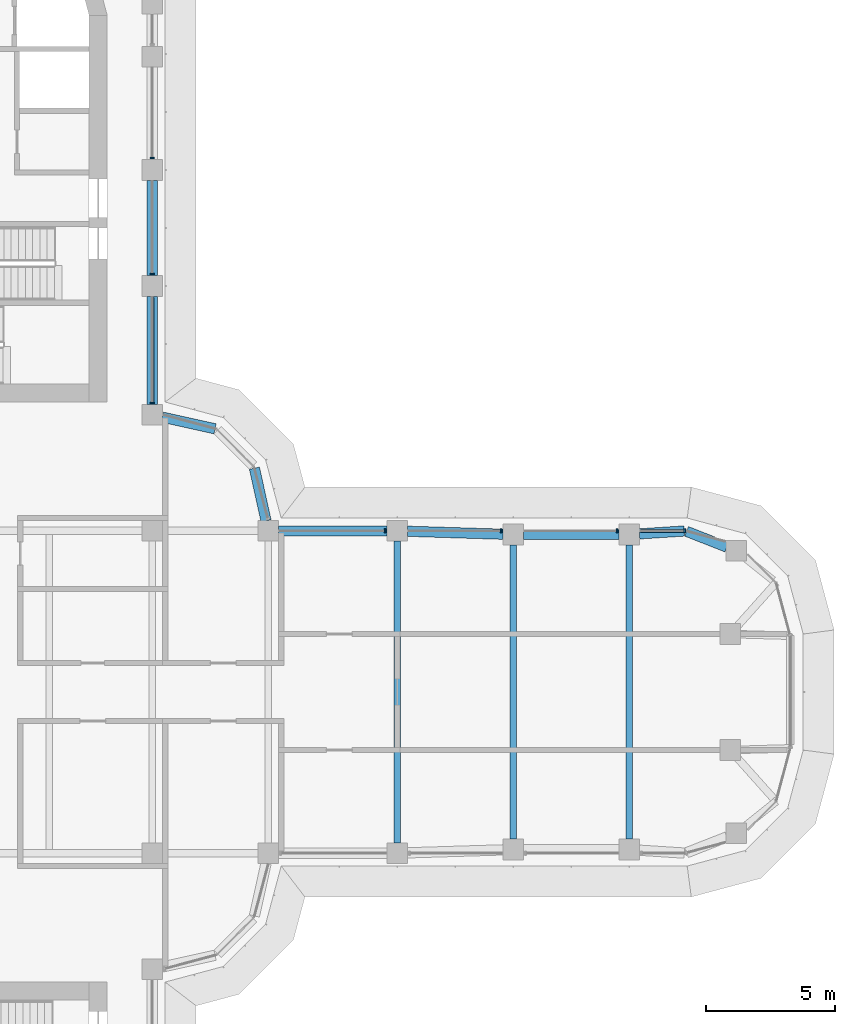
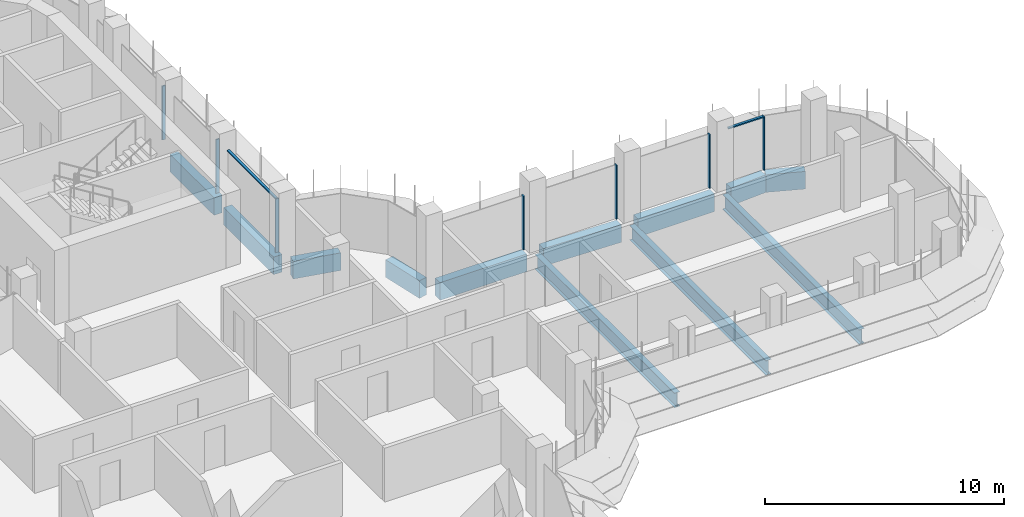
# One storey, part 8 of 20: 12 beams, 9 members, 2 elements without a shape of their own.
"""IFC4 building model written with IfcOpenShell, lengths in metres."""

import ifcopenshell
import ifcopenshell.guid

model = None  # the IFC model being written
_history = None  # IfcOwnerHistory: only IFC2X3 demands one
_inside = {}  # id of a spatial element -> (the spatial element, [elements in it])
_under = {}  # id of a project, library or spatial element -> (it, [spatial elements below it])
_declared = {}  # id of a project -> (the project, [libraries it declares])
_typed = {}  # id of a type object -> (the type object, [elements of that type])
_made_of = {}  # id of a material, layer set ... -> (it, [elements and type objects made of it])


def new_model(schema):
    """Start an empty IFC model of exactly this schema.

    Asked for "IFC4X3", IfcOpenShell would pick the latest addendum, in which some entities
    have other attributes; the version numbers below select the first issue.
    IFC2X3 requires an IfcOwnerHistory on every rooted entity: one is made here for all.
    """
    global model, _history
    if schema == "IFC4X3":
        model = ifcopenshell.file(schema_version=(4, 3, 0, 0))
    else:
        model = ifcopenshell.file(schema=schema)
    _inside.clear()
    _under.clear()
    _declared.clear()
    _typed.clear()
    _made_of.clear()
    _history = None
    if model.schema == "IFC2X3":
        org = make("IfcOrganization", Name="unknown")
        user = make(
            "IfcPersonAndOrganization",
            ThePerson=make("IfcPerson", FamilyName="unknown"),
            TheOrganization=org,
        )
        app = make(
            "IfcApplication",
            ApplicationDeveloper=org,
            Version="unknown",
            ApplicationFullName="unknown",
            ApplicationIdentifier="unknown",
        )
        _history = make(
            "IfcOwnerHistory",
            OwningUser=user,
            OwningApplication=app,
            ChangeAction="ADDED",
            CreationDate=0,
        )
    return model


def make(cls, **values):
    """One entity of the class cls with the attributes given. An attribute that is None is left unset."""
    return model.create_entity(
        cls, **{name: value for name, value in values.items() if value is not None}
    )


def rooted(cls, **values):
    """An entity with a GlobalId (a new one), such as an element, a storey or a relation."""
    return make(cls, GlobalId=ifcopenshell.guid.new(), OwnerHistory=_history, **values)


def si_unit(unit_type, name, prefix=None):
    """IfcSIUnit, for example si_unit("LENGTHUNIT", "METRE", prefix="MILLI")."""
    return make("IfcSIUnit", UnitType=unit_type, Prefix=prefix, Name=name)


def assignment(units):
    """IfcUnitAssignment: the units of a project."""
    return None if units is None else make("IfcUnitAssignment", Units=units)


def point(xyz):
    """IfcCartesianPoint."""
    return None if xyz is None else make("IfcCartesianPoint", Coordinates=xyz)


def direction(xyz):
    """IfcDirection."""
    return None if xyz is None else make("IfcDirection", DirectionRatios=xyz)


def frame(location, z_axis=None, x_axis=None):
    """IfcAxis2Placement3D, a coordinate frame: its origin and axes. An axis left out is left unset."""
    return make(
        "IfcAxis2Placement3D",
        Location=point(location),
        Axis=direction(z_axis),
        RefDirection=direction(x_axis),
    )


def frame_2d(location, x_axis=None):
    """IfcAxis2Placement2D, a coordinate frame in the plane: its origin and x axis."""
    return make(
        "IfcAxis2Placement2D", Location=point(location), RefDirection=direction(x_axis)
    )


def origin():
    """The frame at (0, 0, 0) with its axes left unset."""
    return frame((0.0, 0.0, 0.0))


def origin_2d():
    """The frame at (0, 0) in the plane with its x axis left unset."""
    return frame_2d((0.0, 0.0))


def place(relative_to, where):
    """IfcLocalPlacement: puts the frame where relative to a parent placement (None: the world)."""
    return make(
        "IfcLocalPlacement", PlacementRelTo=relative_to, RelativePlacement=where
    )


def context(
    kind, dimensions, precision=None, world=None, true_north=None, identifier=None
):
    """IfcGeometricRepresentationContext, for example the 3D "Model" context."""
    return make(
        "IfcGeometricRepresentationContext",
        ContextIdentifier=identifier,
        ContextType=kind,
        CoordinateSpaceDimension=dimensions,
        Precision=precision,
        WorldCoordinateSystem=world,
        TrueNorth=true_north,
    )


def subcontext(parent, identifier, kind, view, scale=None):
    """IfcGeometricRepresentationSubContext, for example "Body" below "Model"."""
    return make(
        "IfcGeometricRepresentationSubContext",
        ContextIdentifier=identifier,
        ContextType=kind,
        ParentContext=parent,
        TargetScale=scale,
        TargetView=view,
    )


def project(units=None, contexts=None):
    """IfcProject with its units and contexts."""
    return rooted(
        "IfcProject",
        Name="project",
        RepresentationContexts=contexts,
        UnitsInContext=assignment(units),
    )


def spatial(cls, under=None, at=None, **own):
    """A site, building, storey or space (cls), placed at a placement, below another one or the project."""
    s = rooted(cls, ObjectPlacement=at, **own)
    if under is not None:
        _under.setdefault(under.id(), (under, []))[1].append(s)
    return s


def polyline(points):
    """IfcPolyline through the points."""
    return make("IfcPolyline", Points=[point(p) for p in points])


def profile(cls, at=None, kind="AREA", **sizes):
    """A parametric profile (cls). Its sizes go by their IFC names, for example OverallWidth=200.0."""
    return make(cls, ProfileType=kind, Position=at, **sizes)


def rectangle(**sizes):
    """IfcRectangleProfileDef."""
    return profile("IfcRectangleProfileDef", **sizes)


def i_section(**sizes):
    """IfcIShapeProfileDef."""
    return profile("IfcIShapeProfileDef", **sizes)


def outline(outer, holes=None, kind="AREA"):
    """IfcArbitraryClosedProfileDef: a profile drawn as a closed curve; with holes, ...WithVoids."""
    if holes is None:
        return make("IfcArbitraryClosedProfileDef", ProfileType=kind, OuterCurve=outer)
    return make(
        "IfcArbitraryProfileDefWithVoids",
        ProfileType=kind,
        OuterCurve=outer,
        InnerCurves=holes,
    )


def extrude(swept, where, along, depth):
    """IfcExtrudedAreaSolid: the profile swept, set in the frame where, extruded along a direction by depth."""
    return make(
        "IfcExtrudedAreaSolid",
        SweptArea=swept,
        Position=where,
        ExtrudedDirection=direction(along),
        Depth=depth,
    )


def shape(context_of_items, identifier, shape_type, items):
    """IfcShapeRepresentation: the items that make up one representation, for example the "Body"."""
    return make(
        "IfcShapeRepresentation",
        ContextOfItems=context_of_items,
        RepresentationIdentifier=identifier,
        RepresentationType=shape_type,
        Items=items,
    )


def source(mapping_origin, context_of_items, identifier, shape_type, items):
    """IfcRepresentationMap: a shape defined once, which mapped items show again and again."""
    return make(
        "IfcRepresentationMap",
        MappingOrigin=mapping_origin,
        MappedRepresentation=shape(context_of_items, identifier, shape_type, items),
    )


def transform(
    local_origin,
    x_axis=None,
    y_axis=None,
    z_axis=None,
    scale=None,
    scale2=None,
    scale3=None,
    uniform=True,
):
    """IfcCartesianTransformationOperator3D, or its non-uniform kind. x_axis, y_axis, z_axis: its Axis1, 2, 3."""
    if uniform:
        return make(
            "IfcCartesianTransformationOperator3D",
            Axis1=direction(x_axis),
            Axis2=direction(y_axis),
            LocalOrigin=point(local_origin),
            Scale=scale,
            Axis3=direction(z_axis),
        )
    return make(
        "IfcCartesianTransformationOperator3DnonUniform",
        Axis1=direction(x_axis),
        Axis2=direction(y_axis),
        LocalOrigin=point(local_origin),
        Scale=scale,
        Axis3=direction(z_axis),
        Scale2=scale2,
        Scale3=scale3,
    )


def mapped(mapping_source, mapping_target):
    """IfcMappedItem: shows the shape of a source again, moved by a transform."""
    return make(
        "IfcMappedItem", MappingSource=mapping_source, MappingTarget=mapping_target
    )


def material(Name=None, Category=None):
    """IfcMaterial."""
    return make("IfcMaterial", Name=Name, Category=Category)


def material_profile(
    of_material, cross_section, Name=None, Category=None, Priority=None
):
    """IfcMaterialProfile: a cross section and its material."""
    return make(
        "IfcMaterialProfile",
        Name=Name,
        Material=of_material,
        Profile=cross_section,
        Priority=Priority,
        Category=Category,
    )


def profile_set(profiles, Name=None, composite=None):
    """IfcMaterialProfileSet."""
    return make(
        "IfcMaterialProfileSet",
        Name=Name,
        MaterialProfiles=profiles,
        CompositeProfile=composite,
    )


def made_of(thing, what):
    """Note that an element or type object is made of a material, layer set ...; save() writes the relation."""
    if what is not None:
        _made_of.setdefault(what.id(), (what, []))[1].append(thing)
    return thing


def type_object(cls, material=None, **own):
    """A type object (cls), such as IfcWallType, which elements share."""
    return made_of(rooted(cls, **own), material)


def element(
    cls,
    number,
    at=None,
    inside=None,
    cuts=None,
    type_object=None,
    material=None,
    context=None,
    identifier="Body",
    shape_type=None,
    held_by="IfcProductDefinitionShape",
    body=None,
    shapes=None,
    **own,
):
    """One element of the class cls, such as IfcWall. Its Tag is "e" and its number.

    at: its placement. inside: the storey or other place that contains it. cuts: it is an
    opening in that element (IfcRelVoidsElement). A single representation is given by context,
    identifier, shape_type and body (its items); several are given by shapes. held_by: the class
    of the entity that holds the representations. save() writes the other relations.
    """
    e = rooted(cls, Tag="e%d" % number, ObjectPlacement=at, **own)
    if body is not None:
        shapes = [shape(context, identifier, shape_type, body)]
    if shapes is not None:
        e.Representation = make(held_by, Representations=shapes)
    if inside is not None:
        _inside.setdefault(inside.id(), (inside, []))[1].append(e)
    if cuts is not None:
        rooted(
            "IfcRelVoidsElement", RelatingBuildingElement=cuts, RelatedOpeningElement=e
        )
    if type_object is not None:
        _typed.setdefault(type_object.id(), (type_object, []))[1].append(e)
    return made_of(e, material)


def aggregate(whole, parts):
    """IfcRelAggregates: a whole, such as a stair, and the parts it consists of."""
    return rooted("IfcRelAggregates", RelatingObject=whole, RelatedObjects=parts)


def save(model, path):
    """Write the relations noted so far, then the file.

    IfcRelAggregates (storeys below a building ...), IfcRelContainedInSpatialStructure (elements
    in a storey), IfcRelDefinesByType, IfcRelAssociatesMaterial and IfcRelDeclares: one each for
    every whole, place, type object, material and project.
    """
    for whole, parts in _under.values():
        aggregate(whole, parts)
    for where, things in _inside.values():
        rooted(
            "IfcRelContainedInSpatialStructure",
            RelatedElements=things,
            RelatingStructure=where,
        )
    for kind, things in _typed.values():
        rooted("IfcRelDefinesByType", RelatedObjects=things, RelatingType=kind)
    for what, things in _made_of.values():
        rooted("IfcRelAssociatesMaterial", RelatedObjects=things, RelatingMaterial=what)
    for by, libraries in _declared.values():
        rooted("IfcRelDeclares", RelatingContext=by, RelatedDefinitions=libraries)
    model.write(path)


model = new_model("IFC4")

# Units and contexts
model_context = context("Model", 3, precision=1e-05, world=origin(), true_north=direction((0.0, 1.0)))
body_context = subcontext(model_context, "Body", "Model", "MODEL_VIEW")
ifc_project = project(units=[si_unit("LENGTHUNIT", "METRE"), si_unit("AREAUNIT", "SQUARE_METRE"), si_unit("VOLUMEUNIT", "CUBIC_METRE"), si_unit("PLANEANGLEUNIT", "RADIAN"), si_unit("MASSUNIT", "GRAM", prefix="KILO")], contexts=[model_context])

# Site, building, storey
site_placement = place(None, origin())
site = spatial("IfcSite", under=ifc_project, at=site_placement, CompositionType="ELEMENT")
building_placement = place(site_placement, origin())
building = spatial("IfcBuilding", under=site, at=building_placement, Name="Zarbagh Exchange Tower", CompositionType="ELEMENT")
storey_placement = place(building_placement, frame((0.0, 0.0, 141.0)))
storey = spatial("IfcBuildingStorey", under=building, at=storey_placement, Name="L33", CompositionType="ELEMENT", Elevation=141.0)

# Beams
ifc_material_1 = material(Name="Steel ASTM A992 Gr 50", Category="steel")
ifc_material_profile_1 = material_profile(ifc_material_1, i_section(OverallWidth=0.26416015625, OverallDepth=0.749267578125, WebThickness=0.011962890625, FlangeThickness=0.015380859375, at=origin_2d()), Name="W30X90")
ifc_profile_set_1 = profile_set([ifc_material_profile_1], Name="Steel ASTM A992 Gr 50")
beam_type_1 = type_object("IfcBeamType", Name="Floor beam W30X90", PredefinedType="BEAM", material=ifc_profile_set_1)
beam_1_placement = place(storey_placement, frame((15.75, -5.85009765625, -0.524658203125), z_axis=(0.0, 1.0, 0.0), x_axis=(-1.0, 0.0, 0.0)))
element("IfcBeam", 1, at=beam_1_placement, inside=storey, type_object=beam_type_1, Name="Steel floor beam", PredefinedType="BEAM", context=body_context, shape_type="SweptSolid", body=[
    extrude(i_section(OverallWidth=0.26416015625, OverallDepth=0.749267578125, WebThickness=0.011962890625, FlangeThickness=0.015380859375, at=origin_2d()), origin(), (0.0, 0.0, 1.0), 11.7001953125),
])
for number, where, z_axis, x_axis, name in (
    (2, (20.25, -5.7099609375, -0.524658203125), (0.0, 1.0, 0.0), (-1.0, 0.0, 0.0), "Steel floor beam"),
    (3, (24.75, -5.7099609375, -0.524658203125), (0.0, 1.0, 0.0), (-1.0, 0.0, 0.0), "Steel floor beam"),
):
    element("IfcBeam", number, at=place(storey_placement, frame(where, z_axis=z_axis, x_axis=x_axis)), inside=storey, type_object=beam_type_1, Name=name, PredefinedType="BEAM", context=body_context, shape_type="SweptSolid", body=[
        extrude(i_section(OverallWidth=0.26416015625, OverallDepth=0.749267578125, WebThickness=0.011962890625, FlangeThickness=0.015380859375, at=origin_2d()), origin(), (0.0, 0.0, 1.0), 11.419921875),
    ])
ifc_material_2 = material(Name="Concrete C50/60", Category="concrete")
ifc_material_profile_2 = material_profile(ifc_material_2, rectangle(XDim=0.39990234375, YDim=0.89990234375, at=origin_2d()), Name="RC spandrel beam 400 x 900 C50/60")
ifc_profile_set_2 = profile_set([ifc_material_profile_2], Name="Concrete C50/60")
beam_type_2 = type_object("IfcBeamType", Name="RC spandrel beam 400 x 900 C50/60", PredefinedType="SPANDREL", material=ifc_profile_set_2)
beam_2_placement = place(storey_placement, frame((6.25, 19.85009765625, -0.60009765625), z_axis=(0.0, -1.0, 0.0), x_axis=(1.0, 0.0, 0.0)))
element("IfcBeam", 4, at=beam_2_placement, inside=storey, type_object=beam_type_2, Name="RC spandrel beam", PredefinedType="SPANDREL", context=body_context, shape_type="SweptSolid", body=[
    extrude(rectangle(XDim=0.39990234375, YDim=0.89990234375, at=origin_2d()), origin(), (0.0, 0.0, 1.0), 3.7001953125),
])
beam_3_placement = place(storey_placement, frame((6.25, 15.35009765625, -0.60009765625), z_axis=(0.0, -1.0, 0.0), x_axis=(1.0, 0.0, 0.0)))
element("IfcBeam", 5, at=beam_3_placement, inside=storey, type_object=beam_type_2, Name="RC spandrel beam", PredefinedType="SPANDREL", context=body_context, shape_type="SweptSolid", body=[
    extrude(rectangle(XDim=0.39990234375, YDim=0.89990234375, at=origin_2d()), origin(), (0.0, 0.0, 1.0), 4.2001953125),
])
for number, where, z_axis, x_axis, name in (
    (6, (6.640625, 10.66357421875, -0.60009765625), (0.976384278741, -0.216041061437, 0.0), (0.216041061437, 0.976384278741, 0.0), "RC spandrel beam"),
    (7, (10.21142578125, 8.68408203125, -0.60009765625), (0.216041061437, -0.976384278741, 0.0), (0.976384278741, 0.216041061437, 0.0), "RC spandrel beam"),
):
    element("IfcBeam", number, at=place(storey_placement, frame(where, z_axis=z_axis, x_axis=x_axis)), inside=storey, type_object=beam_type_2, Name=name, PredefinedType="SPANDREL", context=body_context, shape_type="SweptSolid", body=[
        extrude(rectangle(XDim=0.39990234375, YDim=0.89990234375, at=origin_2d()), origin(), (0.0, 0.0, 1.0), 2.0927734375),
    ])
beam_4_placement = place(storey_placement, frame((11.14990234375, 6.25, -0.60009765625), z_axis=(1.0, 0.0, 0.0), x_axis=(0.0, 1.0, 0.0)))
element("IfcBeam", 8, at=beam_4_placement, inside=storey, type_object=beam_type_2, Name="RC spandrel beam", PredefinedType="SPANDREL", context=body_context, shape_type="SweptSolid", body=[
    extrude(rectangle(XDim=0.39990234375, YDim=0.89990234375, at=origin_2d()), origin(), (0.0, 0.0, 1.0), 4.2001953125),
])
beam_5_placement = place(storey_placement, frame((16.14990234375, 6.237548828125, -0.60009765625), z_axis=(0.999515416033, -0.031127690444, 0.0), x_axis=(0.031127690444, 0.999515416033, 0.0)))
element("IfcBeam", 9, at=beam_5_placement, inside=storey, type_object=beam_type_2, Name="RC spandrel beam", PredefinedType="SPANDREL", context=body_context, shape_type="SweptSolid", body=[
    extrude(rectangle(XDim=0.39990234375, YDim=0.89990234375, at=origin_2d()), origin(), (0.0, 0.0, 1.0), 3.701904296875),
])
beam_6_placement = place(storey_placement, frame((20.64990234375, 6.110107421875, -0.60009765625), z_axis=(1.0, 0.0, 0.0), x_axis=(0.0, 1.0, 0.0)))
element("IfcBeam", 10, at=beam_6_placement, inside=storey, type_object=beam_type_2, Name="RC spandrel beam", PredefinedType="SPANDREL", context=body_context, shape_type="SweptSolid", body=[
    extrude(rectangle(XDim=0.39990234375, YDim=0.89990234375, at=origin_2d()), origin(), (0.0, 0.0, 1.0), 3.7001953125),
])
beam_7_placement = place(storey_placement, frame((25.149169921875, 6.135498046875, -0.60009765625), z_axis=(0.997942679773, 0.064112462805, 0.0), x_axis=(-0.064112462805, 0.997942679773, 0.0)))
element("IfcBeam", 11, at=beam_7_placement, inside=storey, type_object=beam_type_2, Name="RC spandrel beam", PredefinedType="SPANDREL", context=body_context, shape_type="SweptSolid", body=[
    extrude(rectangle(XDim=0.39990234375, YDim=0.89990234375, at=origin_2d()), origin(), (0.0, 0.0, 1.0), 1.744140625),
])
beam_8_placement = place(storey_placement, frame((26.9755859375, 6.233642578125, -0.60009765625), z_axis=(0.930818758612, -0.36548110569, 0.0), x_axis=(0.36548110569, 0.930818758612, 0.0)))
element("IfcBeam", 12, at=beam_8_placement, inside=storey, type_object=beam_type_2, Name="RC spandrel beam", PredefinedType="SPANDREL", context=body_context, shape_type="SweptSolid", body=[
    extrude(rectangle(XDim=0.39990234375, YDim=0.89990234375, at=origin_2d()), origin(), (0.0, 0.0, 1.0), 1.676025390625),
])

# Curtain wall, members
ifc_material_3 = material(Name="Anodised aluminium frame and glazing", Category="aluminium")
curtain_wall_type = type_object("IfcCurtainWallType", Name="CWB Ribbon glazing, upper zones", PredefinedType="NOTDEFINED", material=ifc_material_3)
curtain_wall_1_placement = place(storey_placement, origin())
curtain_wall_1 = element("IfcCurtainWall", 13, at=curtain_wall_1_placement, inside=storey, type_object=curtain_wall_type, Name="CWB16 curtain wall", PredefinedType="NOTDEFINED")
ifc_material_4 = material(Name="Anodised aluminium frame", Category="aluminium")
member_type_1 = type_object("IfcMemberType", Name="TRB Transom, anodised aluminium frame", PredefinedType="USERDEFINED", material=ifc_material_4)
shared_shape_1 = source(origin(), body_context, "Body", "SweptSolid", [
    extrude(outline(polyline([(-0.06005859375, -0.06005859375), (0.0, -0.06005859375), (0.0, 0.06005859375), (-0.06005859375, 0.06005859375), (-0.06005859375, -0.06005859375)])), origin(), (0.0, 0.0, 1.0), 1.68408203125),
])
placement = place(storey_placement, origin())
member_1 = element("IfcMember", 14, at=placement, type_object=member_type_1, Name="CWB16 transom 1.1", ObjectType="TRANSOM", PredefinedType="USERDEFINED", context=body_context, shape_type="MappedRepresentation", body=[
    mapped(shared_shape_1, transform((26.874267578125, 6.25, 2.75), x_axis=(0.0, 0.0, 1.0), y_axis=(0.0, 1.0, 0.0), z_axis=(-1.0, 0.0, 0.0))),
])
member_type_2 = type_object("IfcMemberType", Name="MUB Mullion, anodised aluminium frame", PredefinedType="MULLION", material=ifc_material_4)
shared_shape_2 = source(origin(), body_context, "Body", "SweptSolid", [
    extrude(outline(polyline([(0.0, -0.080078125), (0.06005859375, -0.080078125), (0.06005859375, 0.080078125), (0.0, 0.080078125), (0.0, -0.080078125)])), origin(), (0.0, 0.0, 1.0), 2.75),
])
member_2 = element("IfcMember", 15, at=placement, type_object=member_type_2, Name="CWB16 mullion 1.1", PredefinedType="MULLION", context=body_context, shape_type="MappedRepresentation", body=[
    mapped(shared_shape_2, transform((26.93408203125, 6.25, 0.0), x_axis=(-1.0, 0.0, 0.0), y_axis=(0.0, -1.0, 0.0), z_axis=(0.0, 0.0, 1.0))),
])
member_3 = element("IfcMember", 16, at=placement, type_object=member_type_2, Name="CWB16 mullion 2.1", PredefinedType="MULLION", context=body_context, shape_type="MappedRepresentation", body=[
    mapped(shared_shape_2, transform((24.31005859375, 6.25, 0.0), x_axis=(-1.0, 0.0, 0.0), y_axis=(0.0, -1.0, 0.0), z_axis=(0.0, 0.0, 1.0))),
])
member_4 = element("IfcMember", 17, at=placement, type_object=member_type_2, Name="CWB16 mullion 3.1", PredefinedType="MULLION", context=body_context, shape_type="MappedRepresentation", body=[
    mapped(shared_shape_2, transform((19.81005859375, 6.25, 0.0), x_axis=(-1.0, 0.0, 0.0), y_axis=(0.0, -1.0, 0.0), z_axis=(0.0, 0.0, 1.0))),
])
member_5 = element("IfcMember", 18, at=placement, type_object=member_type_2, Name="CWB16 mullion 4.1", PredefinedType="MULLION", context=body_context, shape_type="MappedRepresentation", body=[
    mapped(shared_shape_2, transform((15.31005859375, 6.25, 0.0), x_axis=(-1.0, 0.0, 0.0), y_axis=(0.0, -1.0, 0.0), z_axis=(0.0, 0.0, 1.0))),
])
aggregate(curtain_wall_1, [member_2, member_1, member_3, member_4, member_5])

curtain_wall_2_placement = place(storey_placement, origin())
curtain_wall_2 = element("IfcCurtainWall", 19, at=curtain_wall_2_placement, inside=storey, type_object=curtain_wall_type, Name="CWB20 curtain wall", PredefinedType="NOTDEFINED")
member_6 = element("IfcMember", 20, at=placement, type_object=member_type_2, Name="CWB20 mullion 1.1", PredefinedType="MULLION", context=body_context, shape_type="MappedRepresentation", body=[
    mapped(shared_shape_2, transform((6.25, 11.18994140625, 0.0), x_axis=(0.0, 1.0, 0.0), y_axis=(-1.0, 0.0, 0.0), z_axis=(0.0, 0.0, 1.0))),
])
member_7 = element("IfcMember", 21, at=placement, type_object=member_type_2, Name="CWB20 mullion 2.1", PredefinedType="MULLION", context=body_context, shape_type="MappedRepresentation", body=[
    mapped(shared_shape_2, transform((6.25, 16.18994140625, 0.0), x_axis=(0.0, 1.0, 0.0), y_axis=(-1.0, 0.0, 0.0), z_axis=(0.0, 0.0, 1.0))),
])
member_8 = element("IfcMember", 22, at=placement, type_object=member_type_2, Name="CWB20 mullion 3.1", PredefinedType="MULLION", context=body_context, shape_type="MappedRepresentation", body=[
    mapped(shared_shape_2, transform((6.25, 20.68994140625, 0.0), x_axis=(0.0, 1.0, 0.0), y_axis=(-1.0, 0.0, 0.0), z_axis=(0.0, 0.0, 1.0))),
])
shared_shape_3 = source(origin(), body_context, "Body", "SweptSolid", [
    extrude(outline(polyline([(-0.06005859375, -0.06005859375), (0.0, -0.06005859375), (0.0, 0.06005859375), (-0.06005859375, 0.06005859375), (-0.06005859375, -0.06005859375)])), origin(), (0.0, 0.0, 1.0), 4.06005859375),
])
member_9 = element("IfcMember", 23, at=placement, type_object=member_type_1, Name="CWB20 transom 1.1", ObjectType="TRANSOM", PredefinedType="USERDEFINED", context=body_context, shape_type="MappedRepresentation", body=[
    mapped(shared_shape_3, transform((6.25, 11.25, 2.75), x_axis=(0.0, 0.0, 1.0), y_axis=(1.0, 0.0, 0.0), z_axis=(0.0, 1.0, 0.0))),
])
aggregate(curtain_wall_2, [member_6, member_9, member_7, member_8])

save(model, "model.ifc")
